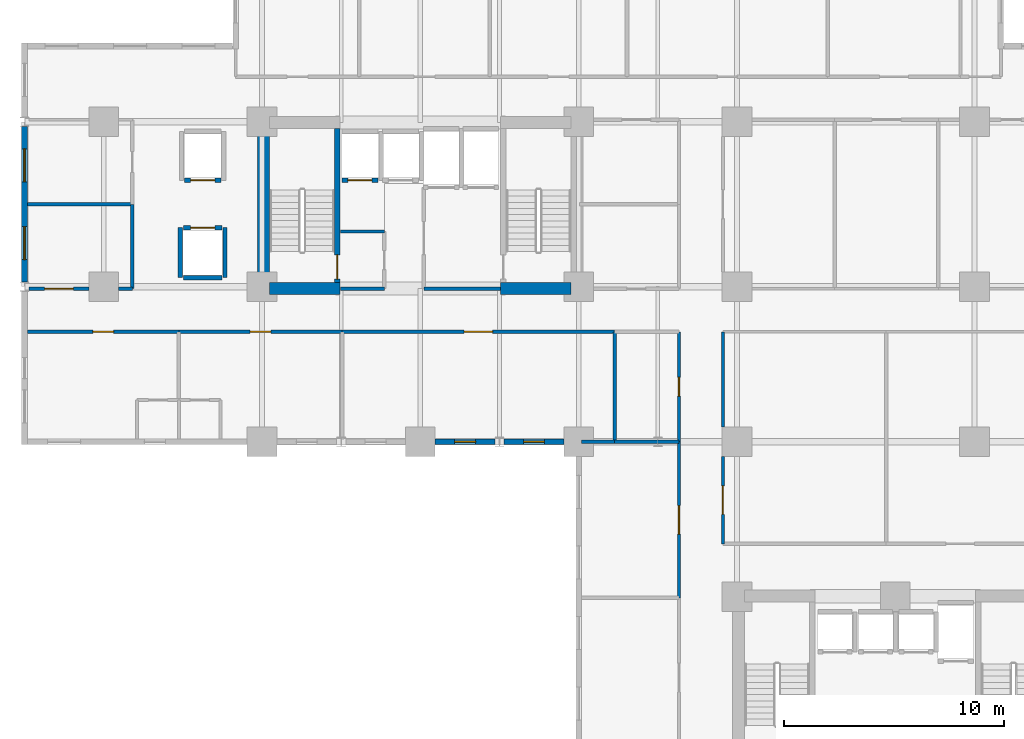
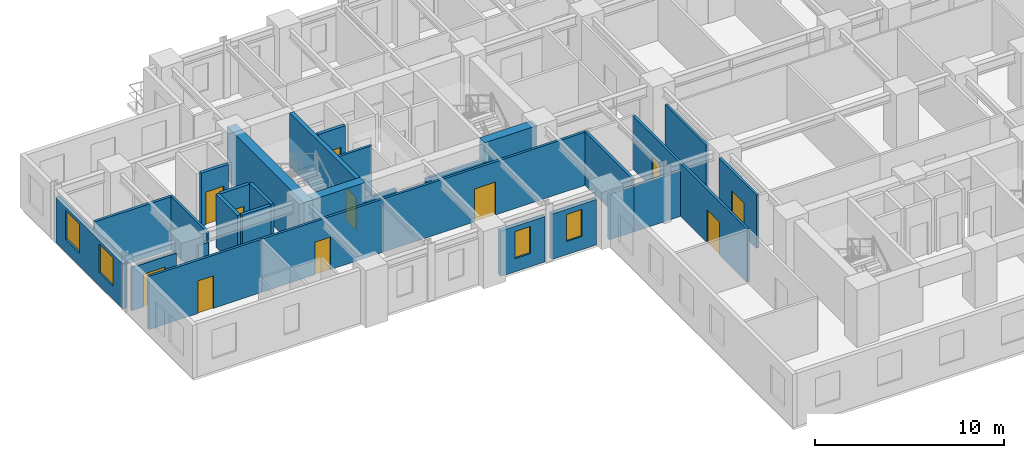
# One storey, part 3 of 11: 30 walls, 11 doors, 4 windows, 15 openings.
"""IFC4 building model written with IfcOpenShell, lengths in metres."""

from ifc_helpers import new_model, si_unit, direction, frame, frame_2d, origin, place, context, subcontext, project, spatial, rectangle, extrude, material, layer, layer_set, type_object, element, fill, save


model = new_model("IFC4")

# Units and contexts
model_context = context("Model", 3, precision=1e-05, world=origin(), true_north=direction((0.0, 1.0)))
body_context = subcontext(model_context, "Body", "Model", "MODEL_VIEW")
ifc_project = project(units=[si_unit("LENGTHUNIT", "METRE"), si_unit("AREAUNIT", "SQUARE_METRE"), si_unit("VOLUMEUNIT", "CUBIC_METRE"), si_unit("PLANEANGLEUNIT", "RADIAN"), si_unit("MASSUNIT", "GRAM", prefix="KILO")], contexts=[model_context])

# Site, building, storey
site_placement = place(None, origin())
site = spatial("IfcSite", under=ifc_project, at=site_placement, CompositionType="ELEMENT")
building_placement = place(site_placement, origin())
building = spatial("IfcBuilding", under=site, at=building_placement, Name="Kaliganga Portal Commons", CompositionType="ELEMENT")
storey_placement = place(building_placement, frame((0.0, 0.0, 54.89990234375)))
storey = spatial("IfcBuildingStorey", under=building, at=storey_placement, Name="L13", CompositionType="ELEMENT", Elevation=54.89990234375)

# Walls
ifc_material_1 = material(Name="Concrete C60/75", Category="concrete")
ifc_layer_1 = layer(ifc_material_1, 0.550048828125)
ifc_layer_set_1 = layer_set([ifc_layer_1], Name="Concrete C60/75")
wall_type_1 = type_object("IfcWallType", Name="WL-CORE-550", PredefinedType="SHEAR", material=ifc_layer_set_1)
wall_1_placement = place(storey_placement, frame((14.47509765625, 28.300048828125, 0.0), z_axis=(0.0, 0.0, 1.0), x_axis=(0.0, 1.0, 0.0)))
element("IfcWall", 1, at=wall_1_placement, inside=storey, type_object=wall_type_1, Name="Core A West Shear Wall L13", PredefinedType="SHEAR", context=body_context, shape_type="SweptSolid", body=[
    extrude(rectangle(XDim=8.099853515625, YDim=0.550048828125, at=frame_2d((4.0498046875, 0.0))), origin(), (0.0, 0.0, 1.0), 3.4501953125),
])
for number, where, z_axis, x_axis, name in (
    (2, (14.75, 28.574951171875, 0.0), (0.0, 0.0, 1.0), (1.0, 0.0, 0.0), "Core A S-West Shear Wall L13"),
    (3, (25.25, 28.574951171875, 0.0), (0.0, 0.0, 1.0), (1.0, 0.0, 0.0), "Core A S-East Shear Wall L13"),
):
    element("IfcWall", number, at=place(storey_placement, frame(where, z_axis=z_axis, x_axis=x_axis)), inside=storey, type_object=wall_type_1, Name=name, PredefinedType="SHEAR", context=body_context, shape_type="SweptSolid", body=[
        extrude(rectangle(XDim=3.199951171875, YDim=0.550048828125, at=frame_2d((1.60009765625, 0.0))), origin(), (0.0, 0.0, 1.0), 3.4501953125),
    ])

# Wall, openings, windows
ifc_material_2 = material(Name="Insulated Aluminium-Clad Spandrel Assembly", Category="aluminium")
ifc_layer_2 = layer(ifc_material_2, 0.260009765625)
ifc_layer_set_2 = layer_set([ifc_layer_2], Name="Insulated Aluminium-Clad Spandrel Assembly")
wall_type_2 = type_object("IfcWallType", Name="WL-EXT-SPAND-260", PredefinedType="STANDARD", material=ifc_layer_set_2)
wall_2_placement = place(storey_placement, frame((3.60009765625, 28.8740234375, 0.0), z_axis=(0.0, 0.0, 1.0), x_axis=(0.0, 1.0, 0.0)))
wall_2 = element("IfcWall", 4, at=wall_2_placement, inside=storey, type_object=wall_type_2, Name="Exterior Envelope Wall L13 P1-E09-S2", PredefinedType="STANDARD", context=body_context, shape_type="SweptSolid", body=[
    extrude(rectangle(XDim=7.052001953125, YDim=0.260009765625, at=frame_2d((3.52587890625, 0.0))), origin(), (0.0, 0.0, 1.0), 2.93017578125),
])
opening_1_placement = place(wall_2_placement, frame((1.012939453125, 0.0, 0.85009765625)))
opening_1 = element("IfcOpeningElement", 5, at=opening_1_placement, cuts=wall_2, Name="Opening W-02", PredefinedType="OPENING", context=body_context, shape_type="SweptSolid", body=[
    extrude(rectangle(XDim=1.5, YDim=1.85009765625, at=frame_2d((0.75, 0.925048828125))), frame((0.0, 0.14013671875, 0.0), z_axis=(0.0, -1.0, 0.0), x_axis=(1.0, 0.0, 0.0)), (0.0, 0.0, 1.0), 0.280029296875),
])
opening_2_placement = place(wall_2_placement, frame((4.5390625, 0.0, 0.85009765625)))
opening_2 = element("IfcOpeningElement", 6, at=opening_2_placement, cuts=wall_2, Name="Opening W-02", PredefinedType="OPENING", context=body_context, shape_type="SweptSolid", body=[
    extrude(rectangle(XDim=1.5, YDim=1.85009765625, at=frame_2d((0.75, 0.925048828125))), frame((0.0, 0.14013671875, 0.0), z_axis=(0.0, -1.0, 0.0), x_axis=(1.0, 0.0, 0.0)), (0.0, 0.0, 1.0), 0.280029296875),
])
ifc_material_3 = material(Name="Thermally Broken Aluminium and Low-E Double Glazing", Category="aluminium")
window_type_1 = type_object("IfcWindowType", Name="WIN-STD-1500", PartitioningType="DOUBLE_PANEL_VERTICAL", PredefinedType="WINDOW", material=ifc_material_3)
window_1_placement = place(opening_1_placement, origin())
window_1 = element("IfcWindow", 7, at=window_1_placement, inside=storey, type_object=window_type_1, Name="Facade Window L13-P1E09S2-00", OverallHeight=1.85009765625, OverallWidth=1.5, PartitioningType="SINGLE_PANEL", PredefinedType="WINDOW", context=body_context, shape_type="SweptSolid", body=[
    extrude(rectangle(XDim=1.5, YDim=1.85009765625, at=frame_2d((0.75, 0.925048828125))), frame((0.0, 0.030029296875, 0.0), z_axis=(0.0, -1.0, 0.0), x_axis=(1.0, 0.0, 0.0)), (0.0, 0.0, 1.0), 0.06005859375),
])
fill(opening_1, window_1)
window_2_placement = place(opening_2_placement, origin())
window_2 = element("IfcWindow", 8, at=window_2_placement, inside=storey, type_object=window_type_1, Name="Facade Window L13-P1E09S2-01", OverallHeight=1.85009765625, OverallWidth=1.5, PartitioningType="SINGLE_PANEL", PredefinedType="WINDOW", context=body_context, shape_type="SweptSolid", body=[
    extrude(rectangle(XDim=1.5, YDim=1.85009765625, at=frame_2d((0.75, 0.925048828125))), frame((0.0, 0.030029296875, 0.0), z_axis=(0.0, -1.0, 0.0), x_axis=(1.0, 0.0, 0.0)), (0.0, 0.0, 1.0), 0.06005859375),
])
fill(opening_2, window_2)

# Wall, opening, window
wall_3_placement = place(storey_placement, frame((24.990966796875, 21.60009765625, 0.0), z_axis=(0.0, 0.0, 1.0), x_axis=(-1.0, 0.0, 0.0)))
wall_3 = element("IfcWall", 9, at=wall_3_placement, inside=storey, type_object=wall_type_2, Name="Exterior Envelope Wall L13 P1-E10-S4", PredefinedType="STANDARD", context=body_context, shape_type="SweptSolid", body=[
    extrude(rectangle(XDim=2.715087890625, YDim=0.260009765625, at=frame_2d((1.357421875, 0.0))), origin(), (0.0, 0.0, 1.0), 2.93017578125),
])
opening_3_placement = place(wall_3_placement, frame((0.882568359375, 0.0, 0.85009765625)))
opening_3 = element("IfcOpeningElement", 10, at=opening_3_placement, cuts=wall_3, Name="Opening W-04", PredefinedType="OPENING", context=body_context, shape_type="SweptSolid", body=[
    extrude(rectangle(XDim=0.949951171875, YDim=1.75, at=frame_2d((0.47509765625, 0.875))), frame((0.0, 0.14013671875, 0.0), z_axis=(0.0, -1.0, 0.0), x_axis=(1.0, 0.0, 0.0)), (0.0, 0.0, 1.0), 0.280029296875),
])
window_type_2 = type_object("IfcWindowType", Name="WIN-NARROW-950", PartitioningType="SINGLE_PANEL", PredefinedType="WINDOW", material=ifc_material_3)
window_3_placement = place(opening_3_placement, origin())
window_3 = element("IfcWindow", 11, at=window_3_placement, inside=storey, type_object=window_type_2, Name="Facade Window L13-P1E10S4-00", OverallHeight=1.75, OverallWidth=0.949951171875, PartitioningType="SINGLE_PANEL", PredefinedType="WINDOW", context=body_context, shape_type="SweptSolid", body=[
    extrude(rectangle(XDim=0.949951171875, YDim=1.75, at=frame_2d((0.47509765625, 0.875))), frame((0.0, 0.030029296875, 0.0), z_axis=(0.0, -1.0, 0.0), x_axis=(1.0, 0.0, 0.0)), (0.0, 0.0, 1.0), 0.06005859375),
])
fill(opening_3, window_3)

wall_4_placement = place(storey_placement, frame((28.1240234375, 21.60009765625, 0.0), z_axis=(0.0, 0.0, 1.0), x_axis=(-1.0, 0.0, 0.0)))
wall_4 = element("IfcWall", 12, at=wall_4_placement, inside=storey, type_object=wall_type_2, Name="Exterior Envelope Wall L13 P1-E10-S5", PredefinedType="STANDARD", context=body_context, shape_type="SweptSolid", body=[
    extrude(rectangle(XDim=2.715087890625, YDim=0.260009765625, at=frame_2d((1.357421875, 0.0))), origin(), (0.0, 0.0, 1.0), 2.93017578125),
])
opening_4_placement = place(wall_4_placement, frame((0.882568359375, 0.0, 0.85009765625)))
opening_4 = element("IfcOpeningElement", 13, at=opening_4_placement, cuts=wall_4, Name="Opening W-04", PredefinedType="OPENING", context=body_context, shape_type="SweptSolid", body=[
    extrude(rectangle(XDim=0.949951171875, YDim=1.75, at=frame_2d((0.47509765625, 0.875))), frame((0.0, 0.14013671875, 0.0), z_axis=(0.0, -1.0, 0.0), x_axis=(1.0, 0.0, 0.0)), (0.0, 0.0, 1.0), 0.280029296875),
])
window_4_placement = place(opening_4_placement, origin())
window_4 = element("IfcWindow", 14, at=window_4_placement, inside=storey, type_object=window_type_2, Name="Facade Window L13-P1E10S5-00", OverallHeight=1.75, OverallWidth=0.949951171875, PartitioningType="SINGLE_PANEL", PredefinedType="WINDOW", context=body_context, shape_type="SweptSolid", body=[
    extrude(rectangle(XDim=0.949951171875, YDim=1.75, at=frame_2d((0.47509765625, 0.875))), frame((0.0, 0.030029296875, 0.0), z_axis=(0.0, -1.0, 0.0), x_axis=(1.0, 0.0, 0.0)), (0.0, 0.0, 1.0), 0.06005859375),
])
fill(opening_4, window_4)

# Wall, opening, door
ifc_material_4 = material(Name="Fire-Rated Gypsum Board on Steel Stud", Category="steel")
ifc_layer_3 = layer(ifc_material_4, 0.14990234375)
ifc_layer_set_3 = layer_set([ifc_layer_3], Name="Fire-Rated Gypsum Board on Steel Stud")
wall_type_3 = type_object("IfcWallType", Name="WL-PART-CORR-150", PredefinedType="PARTITIONING", material=ifc_layer_set_3)
wall_5_placement = place(storey_placement, frame((18.0400390625, 26.60009765625, 0.0), z_axis=(0.0, 0.0, 1.0), x_axis=(1.0, 0.0, 0.0)))
wall_5 = element("IfcWall", 15, at=wall_5_placement, inside=storey, type_object=wall_type_3, Name="Interior Partition L13-006", PredefinedType="PARTITIONING", context=body_context, shape_type="SweptSolid", body=[
    extrude(rectangle(XDim=12.39990234375, YDim=0.14990234375, at=frame_2d((6.199951171875, 0.0))), origin(), (0.0, 0.0, 1.0), 3.43017578125),
])
opening_5_placement = place(wall_5_placement, frame((5.550048828125, 0.0, 0.0)))
opening_5 = element("IfcOpeningElement", 16, at=opening_5_placement, cuts=wall_5, Name="Opening RD-03", PredefinedType="OPENING", context=body_context, shape_type="SweptSolid", body=[
    extrude(rectangle(XDim=1.300048828125, YDim=2.1201171875, at=frame_2d((0.64990234375, 1.06005859375))), frame((0.0, 0.0849609375, 0.0), z_axis=(0.0, -1.0, 0.0), x_axis=(1.0, 0.0, 0.0)), (0.0, 0.0, 1.0), 0.169921875),
])
ifc_material_5 = material(Name="Glazed Timber Seminar Vision Door", Category="wood")
door_type_1 = type_object("IfcDoorType", Name="DR-STUDY-1300", OperationType="DOUBLE_DOOR_SINGLE_SWING", PredefinedType="DOOR", material=ifc_material_5)
door_1_placement = place(opening_5_placement, origin())
door_1 = element("IfcDoor", 17, at=door_1_placement, inside=storey, type_object=door_type_1, Name="Interior Door L13-AS03", OperationType="DOUBLE_DOOR_SINGLE_SWING", OverallHeight=2.1201171875, OverallWidth=1.300048828125, PredefinedType="DOOR", context=body_context, shape_type="SweptSolid", body=[
    extrude(rectangle(XDim=1.300048828125, YDim=2.1201171875, at=frame_2d((0.64990234375, 1.06005859375))), frame((0.0, 0.02490234375, 0.0), z_axis=(0.0, -1.0, 0.0), x_axis=(1.0, 0.0, 0.0)), (0.0, 0.0, 1.0), 0.050048828125),
])
fill(opening_5, door_1)

wall_6_placement = place(storey_placement, frame((35.360107421875, 16.9599609375, 0.0), z_axis=(0.0, 0.0, 1.0), x_axis=(0.0, 1.0, 0.0)))
wall_6 = element("IfcWall", 18, at=wall_6_placement, inside=storey, type_object=wall_type_3, Name="Interior Partition L13-007", PredefinedType="PARTITIONING", context=body_context, shape_type="SweptSolid", body=[
    extrude(rectangle(XDim=3.965087890625, YDim=0.14990234375, at=frame_2d((1.982421875, 0.0))), origin(), (0.0, 0.0, 1.0), 3.43017578125),
])
opening_6_placement = place(wall_6_placement, frame((1.33251953125, 0.0, 0.0)))
opening_6 = element("IfcOpeningElement", 19, at=opening_6_placement, cuts=wall_6, Name="Opening RD-03", PredefinedType="OPENING", context=body_context, shape_type="SweptSolid", body=[
    extrude(rectangle(XDim=1.300048828125, YDim=2.1201171875, at=frame_2d((0.64990234375, 1.06005859375))), frame((0.0, 0.0849609375, 0.0), z_axis=(0.0, -1.0, 0.0), x_axis=(1.0, 0.0, 0.0)), (0.0, 0.0, 1.0), 0.169921875),
])
door_2_placement = place(opening_6_placement, origin())
door_2 = element("IfcDoor", 20, at=door_2_placement, inside=storey, type_object=door_type_1, Name="Interior Door L13-BM01", OperationType="DOUBLE_DOOR_SINGLE_SWING", OverallHeight=2.1201171875, OverallWidth=1.300048828125, PredefinedType="DOOR", context=body_context, shape_type="SweptSolid", body=[
    extrude(rectangle(XDim=1.300048828125, YDim=2.1201171875, at=frame_2d((0.64990234375, 1.06005859375))), frame((0.0, 0.02490234375, 0.0), z_axis=(0.0, -1.0, 0.0), x_axis=(1.0, 0.0, 0.0)), (0.0, 0.0, 1.0), 0.050048828125),
])
fill(opening_6, door_2)

# Wall
wall_7_placement = place(storey_placement, frame((35.360107421875, 22.27490234375, 0.0), z_axis=(0.0, 0.0, 1.0), x_axis=(0.0, 1.0, 0.0)))
element("IfcWall", 21, at=wall_7_placement, inside=storey, type_object=wall_type_3, Name="Interior Partition L13-008", PredefinedType="PARTITIONING", context=body_context, shape_type="SweptSolid", body=[
    extrude(rectangle(XDim=4.3251953125, YDim=0.14990234375, at=frame_2d((2.16259765625, 0.0))), origin(), (0.0, 0.0, 1.0), 3.43017578125),
])

# Wall, opening, door
wall_8_placement = place(storey_placement, frame((10.6201171875, 26.60009765625, 0.0), z_axis=(0.0, 0.0, 1.0), x_axis=(1.0, 0.0, 0.0)))
wall_8 = element("IfcWall", 22, at=wall_8_placement, inside=storey, type_object=wall_type_3, Name="Interior Partition L13-014", PredefinedType="PARTITIONING", context=body_context, shape_type="SweptSolid", body=[
    extrude(rectangle(XDim=7.419921875, YDim=0.14990234375, at=frame_2d((3.7099609375, 0.0))), origin(), (0.0, 0.0, 1.0), 3.43017578125),
])
opening_7_placement = place(wall_8_placement, frame((3.235107421875, 0.0, 0.0)))
opening_7 = element("IfcOpeningElement", 23, at=opening_7_placement, cuts=wall_8, Name="Opening UD-01", PredefinedType="OPENING", context=body_context, shape_type="SweptSolid", body=[
    extrude(rectangle(XDim=0.949951171875, YDim=2.10009765625, at=frame_2d((0.47509765625, 1.050048828125))), frame((0.0, 0.0849609375, 0.0), z_axis=(0.0, -1.0, 0.0), x_axis=(1.0, 0.0, 0.0)), (0.0, 0.0, 1.0), 0.169921875),
])
ifc_material_6 = material(Name="Solid-Core Timber Acoustic Fire Door", Category="wood")
door_type_2 = type_object("IfcDoorType", Name="DR-UNIT-950", OperationType="NOTDEFINED", PredefinedType="DOOR", material=ifc_material_6)
door_3_placement = place(opening_7_placement, origin())
door_3 = element("IfcDoor", 24, at=door_3_placement, inside=storey, type_object=door_type_2, Name="Interior Door L13-AS02", OperationType="SINGLE_SWING_LEFT", OverallHeight=2.10009765625, OverallWidth=0.949951171875, PredefinedType="DOOR", context=body_context, shape_type="SweptSolid", body=[
    extrude(rectangle(XDim=0.949951171875, YDim=2.10009765625, at=frame_2d((0.47509765625, 1.050048828125))), frame((0.0, 0.02490234375, 0.0), z_axis=(0.0, -1.0, 0.0), x_axis=(1.0, 0.0, 0.0)), (0.0, 0.0, 1.0), 0.050048828125),
])
fill(opening_7, door_3)

wall_9_placement = place(storey_placement, frame((33.360107421875, 14.5, 0.0), z_axis=(0.0, 0.0, 1.0), x_axis=(0.0, 1.0, 0.0)))
wall_9 = element("IfcWall", 25, at=wall_9_placement, inside=storey, type_object=wall_type_3, Name="Interior Partition L13-016", PredefinedType="PARTITIONING", context=body_context, shape_type="SweptSolid", body=[
    extrude(rectangle(XDim=7.10009765625, YDim=0.14990234375, at=frame_2d((3.550048828125, 0.0))), origin(), (0.0, 0.0, 1.0), 3.43017578125),
])
opening_8_placement = place(wall_9_placement, frame((2.89990234375, 0.0, 0.0)))
opening_8 = element("IfcOpeningElement", 26, at=opening_8_placement, cuts=wall_9, Name="Opening RD-03", PredefinedType="OPENING", context=body_context, shape_type="SweptSolid", body=[
    extrude(rectangle(XDim=1.300048828125, YDim=2.1201171875, at=frame_2d((0.64990234375, 1.06005859375))), frame((0.0, 0.0849609375, 0.0), z_axis=(0.0, -1.0, 0.0), x_axis=(1.0, 0.0, 0.0)), (0.0, 0.0, 1.0), 0.169921875),
])
door_4_placement = place(opening_8_placement, origin())
door_4 = element("IfcDoor", 27, at=door_4_placement, inside=storey, type_object=door_type_1, Name="Interior Door L13-KW02", OperationType="DOUBLE_DOOR_SINGLE_SWING", OverallHeight=2.1201171875, OverallWidth=1.300048828125, PredefinedType="DOOR", context=body_context, shape_type="SweptSolid", body=[
    extrude(rectangle(XDim=1.300048828125, YDim=2.1201171875, at=frame_2d((0.64990234375, 1.06005859375))), frame((0.0, 0.02490234375, 0.0), z_axis=(0.0, -1.0, 0.0), x_axis=(1.0, 0.0, 0.0)), (0.0, 0.0, 1.0), 0.050048828125),
])
fill(opening_8, door_4)

wall_10_placement = place(storey_placement, frame((3.73193359375, 26.60009765625, 0.0), z_axis=(0.0, 0.0, 1.0), x_axis=(1.0, 0.0, 0.0)))
wall_10 = element("IfcWall", 28, at=wall_10_placement, inside=storey, type_object=wall_type_3, Name="Interior Partition L13-021", PredefinedType="PARTITIONING", context=body_context, shape_type="SweptSolid", body=[
    extrude(rectangle(XDim=6.88818359375, YDim=0.14990234375, at=frame_2d((3.444091796875, 0.0))), origin(), (0.0, 0.0, 1.0), 3.43017578125),
])
opening_9_placement = place(wall_10_placement, frame((2.968994140625, 0.0, 0.0)))
opening_9 = element("IfcOpeningElement", 29, at=opening_9_placement, cuts=wall_10, Name="Opening UD-01", PredefinedType="OPENING", context=body_context, shape_type="SweptSolid", body=[
    extrude(rectangle(XDim=0.949951171875, YDim=2.10009765625, at=frame_2d((0.47509765625, 1.050048828125))), frame((0.0, 0.0849609375, 0.0), z_axis=(0.0, -1.0, 0.0), x_axis=(1.0, 0.0, 0.0)), (0.0, 0.0, 1.0), 0.169921875),
])
door_5_placement = place(opening_9_placement, origin())
door_5 = element("IfcDoor", 30, at=door_5_placement, inside=storey, type_object=door_type_2, Name="Interior Door L13-AS01", OperationType="SINGLE_SWING_LEFT", OverallHeight=2.10009765625, OverallWidth=0.949951171875, PredefinedType="DOOR", context=body_context, shape_type="SweptSolid", body=[
    extrude(rectangle(XDim=0.949951171875, YDim=2.10009765625, at=frame_2d((0.47509765625, 1.050048828125))), frame((0.0, 0.02490234375, 0.0), z_axis=(0.0, -1.0, 0.0), x_axis=(1.0, 0.0, 0.0)), (0.0, 0.0, 1.0), 0.050048828125),
])
fill(opening_9, door_5)

wall_11_placement = place(storey_placement, frame((33.360107421875, 21.60009765625, 0.0), z_axis=(0.0, 0.0, 1.0), x_axis=(0.0, 1.0, 0.0)))
wall_11 = element("IfcWall", 31, at=wall_11_placement, inside=storey, type_object=wall_type_3, Name="Interior Partition L13-029", PredefinedType="PARTITIONING", context=body_context, shape_type="SweptSolid", body=[
    extrude(rectangle(XDim=5.0, YDim=0.14990234375, at=frame_2d((2.5, 0.0))), origin(), (0.0, 0.0, 1.0), 3.43017578125),
])
opening_10_placement = place(wall_11_placement, frame((2.070068359375, 0.0, 0.0)))
opening_10 = element("IfcOpeningElement", 32, at=opening_10_placement, cuts=wall_11, Name="Opening WD-02", PredefinedType="OPENING", context=body_context, shape_type="SweptSolid", body=[
    extrude(rectangle(XDim=0.860107421875, YDim=2.02001953125, at=frame_2d((0.43017578125, 1.010009765625))), frame((0.0, 0.0849609375, 0.0), z_axis=(0.0, -1.0, 0.0), x_axis=(1.0, 0.0, 0.0)), (0.0, 0.0, 1.0), 0.169921875),
])
ifc_material_7 = material(Name="Fire-Rated Utility Closet Door", Category="wood")
door_type_3 = type_object("IfcDoorType", Name="DR-STORE-800", OperationType="NOTDEFINED", PredefinedType="DOOR", material=ifc_material_7)
door_6_placement = place(opening_10_placement, origin())
door_6 = element("IfcDoor", 33, at=door_6_placement, inside=storey, type_object=door_type_3, Name="Interior Door L13-AS04", OperationType="SINGLE_SWING_RIGHT", OverallHeight=2.02001953125, OverallWidth=0.860107421875, PredefinedType="DOOR", context=body_context, shape_type="SweptSolid", body=[
    extrude(rectangle(XDim=0.860107421875, YDim=2.02001953125, at=frame_2d((0.43017578125, 1.010009765625))), frame((0.0, 0.02490234375, 0.0), z_axis=(0.0, -1.0, 0.0), x_axis=(1.0, 0.0, 0.0)), (0.0, 0.0, 1.0), 0.050048828125),
])
fill(opening_10, door_6)

wall_12_placement = place(storey_placement, frame((3.80810546875, 28.56005859375, 0.0), z_axis=(0.0, 0.0, 1.0), x_axis=(1.0, 0.0, 0.0)))
wall_12 = element("IfcWall", 34, at=wall_12_placement, inside=storey, type_object=wall_type_3, Name="Interior Partition L13-030", PredefinedType="PARTITIONING", context=body_context, shape_type="SweptSolid", body=[
    extrude(rectangle(XDim=2.716796875, YDim=0.14990234375, at=frame_2d((1.3583984375, 0.0))), origin(), (0.0, 0.0, 1.0), 2.780029296875),
])
opening_11_placement = place(wall_12_placement, frame((0.70849609375, 0.0, 0.0)))
opening_11 = element("IfcOpeningElement", 35, at=opening_11_placement, cuts=wall_12, Name="Opening RD-03", PredefinedType="OPENING", context=body_context, shape_type="SweptSolid", body=[
    extrude(rectangle(XDim=1.300048828125, YDim=2.1201171875, at=frame_2d((0.64990234375, 1.06005859375))), frame((0.0, 0.0849609375, 0.0), z_axis=(0.0, -1.0, 0.0), x_axis=(1.0, 0.0, 0.0)), (0.0, 0.0, 1.0), 0.169921875),
])
door_7_placement = place(opening_11_placement, origin())
door_7 = element("IfcDoor", 36, at=door_7_placement, inside=storey, type_object=door_type_1, Name="Interior Door L13-AW01", OperationType="DOUBLE_DOOR_SINGLE_SWING", OverallHeight=2.1201171875, OverallWidth=1.300048828125, PredefinedType="DOOR", context=body_context, shape_type="SweptSolid", body=[
    extrude(rectangle(XDim=1.300048828125, YDim=2.1201171875, at=frame_2d((0.64990234375, 1.06005859375))), frame((0.0, 0.02490234375, 0.0), z_axis=(0.0, -1.0, 0.0), x_axis=(1.0, 0.0, 0.0)), (0.0, 0.0, 1.0), 0.050048828125),
])
fill(opening_11, door_7)

# Walls
wall_13_placement = place(storey_placement, frame((7.875, 28.56005859375, 0.0), z_axis=(0.0, 0.0, 1.0), x_axis=(1.0, 0.0, 0.0)))
element("IfcWall", 37, at=wall_13_placement, inside=storey, type_object=wall_type_3, Name="Interior Partition L13-031", PredefinedType="PARTITIONING", context=body_context, shape_type="SweptSolid", body=[
    extrude(rectangle(XDim=0.625, YDim=0.14990234375, at=frame_2d((0.3125, 0.0))), origin(), (0.0, 0.0, 1.0), 2.780029296875),
])
wall_14_placement = place(storey_placement, frame((8.5, 28.56005859375, 0.0), z_axis=(0.0, 0.0, 1.0), x_axis=(0.0, 1.0, 0.0)))
element("IfcWall", 38, at=wall_14_placement, inside=storey, type_object=wall_type_3, Name="Interior Partition L13-040", PredefinedType="PARTITIONING", context=body_context, shape_type="SweptSolid", body=[
    extrude(rectangle(XDim=3.83984375, YDim=0.14990234375, at=frame_2d((1.919921875, 0.0))), origin(), (0.0, 0.0, 1.0), 3.43017578125),
])
wall_15_placement = place(storey_placement, frame((17.9599609375, 28.56005859375, 0.0), z_axis=(0.0, 0.0, 1.0), x_axis=(1.0, 0.0, 0.0)))
element("IfcWall", 39, at=wall_15_placement, inside=storey, type_object=wall_type_3, Name="Interior Partition L13-045", PredefinedType="PARTITIONING", context=body_context, shape_type="SweptSolid", body=[
    extrude(rectangle(XDim=2.0, YDim=0.14990234375, at=frame_2d((1.0, 0.0))), origin(), (0.0, 0.0, 1.0), 2.22998046875),
])
wall_16_placement = place(storey_placement, frame((17.9599609375, 31.159912109375, 0.0), z_axis=(0.0, 0.0, 1.0), x_axis=(1.0, 0.0, 0.0)))
element("IfcWall", 40, at=wall_16_placement, inside=storey, type_object=wall_type_3, Name="Interior Partition L13-046", PredefinedType="PARTITIONING", context=body_context, shape_type="SweptSolid", body=[
    extrude(rectangle(XDim=2.0, YDim=0.14990234375, at=frame_2d((1.0, 0.0))), origin(), (0.0, 0.0, 1.0), 3.43017578125),
])
wall_17_placement = place(storey_placement, frame((21.760009765625, 28.56005859375, 0.0), z_axis=(0.0, 0.0, 1.0), x_axis=(1.0, 0.0, 0.0)))
element("IfcWall", 41, at=wall_17_placement, inside=storey, type_object=wall_type_3, Name="Interior Partition L13-078", PredefinedType="PARTITIONING", context=body_context, shape_type="SweptSolid", body=[
    extrude(rectangle(XDim=3.47998046875, YDim=0.14990234375, at=frame_2d((1.739990234375, 0.0))), origin(), (0.0, 0.0, 1.0), 2.22998046875),
])
ifc_material_8 = material(Name="Twin-Stud Acoustic Gypsum Partition", Category="gypsum")
ifc_layer_4 = layer(ifc_material_8, 0.1650390625)
ifc_layer_set_4 = layer_set([ifc_layer_4], Name="Twin-Stud Acoustic Gypsum Partition")
wall_type_4 = type_object("IfcWallType", Name="WL-PART-UNIT-165", PredefinedType="PARTITIONING", material=ifc_layer_set_4)
wall_18_placement = place(storey_placement, frame((30.43994140625, 21.60009765625, 0.0), z_axis=(0.0, 0.0, 1.0), x_axis=(0.0, 1.0, 0.0)))
element("IfcWall", 42, at=wall_18_placement, inside=storey, type_object=wall_type_4, Name="Interior Partition L13-064", PredefinedType="PARTITIONING", context=body_context, shape_type="SweptSolid", body=[
    extrude(rectangle(XDim=5.0, YDim=0.1650390625, at=frame_2d((2.5, 0.0))), origin(), (0.0, 0.0, 1.0), 3.43017578125),
])
wall_19_placement = place(storey_placement, frame((3.73193359375, 32.39990234375, 0.0), z_axis=(0.0, 0.0, 1.0), x_axis=(1.0, 0.0, 0.0)))
element("IfcWall", 43, at=wall_19_placement, inside=storey, type_object=wall_type_4, Name="Interior Partition L13-069", PredefinedType="PARTITIONING", context=body_context, shape_type="SweptSolid", body=[
    extrude(rectangle(XDim=4.76806640625, YDim=0.1650390625, at=frame_2d((2.384033203125, 0.0))), origin(), (0.0, 0.0, 1.0), 3.43017578125),
])
wall_20_placement = place(storey_placement, frame((30.43994140625, 21.60009765625, 0.0), z_axis=(0.0, 0.0, 1.0), x_axis=(1.0, 0.0, 0.0)))
element("IfcWall", 44, at=wall_20_placement, inside=storey, type_object=wall_type_4, Name="Interior Partition L13-080", PredefinedType="PARTITIONING", context=body_context, shape_type="SweptSolid", body=[
    extrude(rectangle(XDim=2.920166015625, YDim=0.1650390625, at=frame_2d((1.4599609375, 0.0))), origin(), (0.0, 0.0, 1.0), 2.93017578125),
])
wall_21_placement = place(storey_placement, frame((28.931884765625, 21.60009765625, 0.0), z_axis=(0.0, 0.0, 1.0), x_axis=(1.0, 0.0, 0.0)))
element("IfcWall", 45, at=wall_21_placement, inside=storey, type_object=wall_type_4, Name="Interior Partition L13-082", PredefinedType="PARTITIONING", context=body_context, shape_type="SweptSolid", body=[
    extrude(rectangle(XDim=1.508056640625, YDim=0.1650390625, at=frame_2d((0.75390625, 0.0))), origin(), (0.0, 0.0, 1.0), 2.93017578125),
])

# Wall, opening, door
ifc_material_9 = material(Name="Fire-Rated Shaftwall Masonry Assembly", Category="masonry")
ifc_layer_5 = layer(ifc_material_9, 0.199951171875)
ifc_layer_set_5 = layer_set([ifc_layer_5], Name="Fire-Rated Shaftwall Masonry Assembly")
wall_type_5 = type_object("IfcWallType", Name="WL-SHAFT-200", PredefinedType="PARTITIONING", material=ifc_layer_set_5)
wall_22_placement = place(storey_placement, frame((18.02490234375, 33.485107421875, 0.0), z_axis=(0.0, 0.0, 1.0), x_axis=(1.0, 0.0, 0.0)))
wall_22 = element("IfcWall", 46, at=wall_22_placement, inside=storey, type_object=wall_type_5, Name="Lift PL-A1 Hoistway Shaft Wall L13-S", PredefinedType="PARTITIONING", context=body_context, shape_type="SweptSolid", body=[
    extrude(rectangle(XDim=1.650146484375, YDim=0.199951171875, at=frame_2d((0.8251953125, 0.0))), origin(), (0.0, 0.0, 1.0), 3.43017578125),
])
opening_12_placement = place(wall_22_placement, frame((0.27490234375, 0.0, 0.0)))
opening_12 = element("IfcOpeningElement", 47, at=opening_12_placement, cuts=wall_22, Name="Opening LD-01", PredefinedType="OPENING", context=body_context, shape_type="SweptSolid", body=[
    extrude(rectangle(XDim=1.10009765625, YDim=2.1201171875, at=frame_2d((0.550048828125, 1.06005859375))), frame((0.0, 0.10986328125, 0.0), z_axis=(0.0, -1.0, 0.0), x_axis=(1.0, 0.0, 0.0)), (0.0, 0.0, 1.0), 0.219970703125),
])
ifc_material_10 = material(Name="Brushed Stainless Steel 316 Lift Landing Door", Category="steel")
door_type_4 = type_object("IfcDoorType", Name="DR-LIFT-1100", OperationType="SLIDING_TO_LEFT", PredefinedType="DOOR", material=ifc_material_10)
door_8_placement = place(opening_12_placement, origin())
door_8 = element("IfcDoor", 48, at=door_8_placement, inside=storey, type_object=door_type_4, Name="Lift PL-A1 Sliding Landing Door L13", OperationType="SLIDING_TO_LEFT", OverallHeight=2.1201171875, OverallWidth=1.10009765625, PredefinedType="DOOR", context=body_context, shape_type="SweptSolid", body=[
    extrude(rectangle(XDim=1.10009765625, YDim=2.1201171875, at=frame_2d((0.550048828125, 1.06005859375))), frame((0.0, 0.02490234375, 0.0), z_axis=(0.0, -1.0, 0.0), x_axis=(1.0, 0.0, 0.0)), (0.0, 0.0, 1.0), 0.050048828125),
])
fill(opening_12, door_8)

# Wall
wall_23_placement = place(storey_placement, frame((10.824951171875, 29.06005859375, 0.0), z_axis=(0.0, 0.0, 1.0), x_axis=(1.0, 0.0, 0.0)))
element("IfcWall", 49, at=wall_23_placement, inside=storey, type_object=wall_type_5, Name="Lift SH-1 Hoistway Shaft Wall L13-S", PredefinedType="PARTITIONING", context=body_context, shape_type="SweptSolid", body=[
    extrude(rectangle(XDim=1.75, YDim=0.199951171875, at=frame_2d((0.875, 0.0))), origin(), (0.0, 0.0, 1.0), 3.43017578125),
])

# Wall, opening, door
wall_24_placement = place(storey_placement, frame((10.824951171875, 31.340087890625, 0.0), z_axis=(0.0, 0.0, 1.0), x_axis=(1.0, 0.0, 0.0)))
wall_24 = element("IfcWall", 50, at=wall_24_placement, inside=storey, type_object=wall_type_5, Name="Lift SH-1 Hoistway Shaft Wall L13-N", PredefinedType="PARTITIONING", context=body_context, shape_type="SweptSolid", body=[
    extrude(rectangle(XDim=1.75, YDim=0.199951171875, at=frame_2d((0.875, 0.0))), origin(), (0.0, 0.0, 1.0), 3.43017578125),
])
opening_13_placement = place(wall_24_placement, frame((0.324951171875, 0.0, 0.0)))
opening_13 = element("IfcOpeningElement", 51, at=opening_13_placement, cuts=wall_24, Name="Opening LD-01", PredefinedType="OPENING", context=body_context, shape_type="SweptSolid", body=[
    extrude(rectangle(XDim=1.10009765625, YDim=2.1201171875, at=frame_2d((0.550048828125, 1.06005859375))), frame((0.0, 0.10986328125, 0.0), z_axis=(0.0, -1.0, 0.0), x_axis=(1.0, 0.0, 0.0)), (0.0, 0.0, 1.0), 0.219970703125),
])
door_9_placement = place(opening_13_placement, origin())
door_9 = element("IfcDoor", 52, at=door_9_placement, inside=storey, type_object=door_type_4, Name="Lift SH-1 Sliding Landing Door L13", OperationType="SLIDING_TO_LEFT", OverallHeight=2.1201171875, OverallWidth=1.10009765625, PredefinedType="DOOR", context=body_context, shape_type="SweptSolid", body=[
    extrude(rectangle(XDim=1.10009765625, YDim=2.1201171875, at=frame_2d((0.550048828125, 1.06005859375))), frame((0.0, 0.02490234375, 0.0), z_axis=(0.0, -1.0, 0.0), x_axis=(1.0, 0.0, 0.0)), (0.0, 0.0, 1.0), 0.050048828125),
])
fill(opening_13, door_9)

# Walls
for number, where, z_axis, x_axis, name in (
    (53, (10.68505859375, 29.06005859375, 0.0), (0.0, 0.0, 1.0), (0.0, 1.0, 0.0), "Lift SH-1 Hoistway Shaft Wall L13-W"),
    (54, (12.715087890625, 29.06005859375, 0.0), (0.0, 0.0, 1.0), (0.0, 1.0, 0.0), "Lift SH-1 Hoistway Shaft Wall L13-E"),
):
    element("IfcWall", number, at=place(storey_placement, frame(where, z_axis=z_axis, x_axis=x_axis)), inside=storey, type_object=wall_type_5, Name=name, PredefinedType="PARTITIONING", context=body_context, shape_type="SweptSolid", body=[
        extrude(rectangle(XDim=2.280029296875, YDim=0.199951171875, at=frame_2d((1.14013671875, 0.0))), origin(), (0.0, 0.0, 1.0), 3.43017578125),
    ])

# Wall, opening, door
wall_25_placement = place(storey_placement, frame((10.875, 33.485107421875, 0.0), z_axis=(0.0, 0.0, 1.0), x_axis=(1.0, 0.0, 0.0)))
wall_25 = element("IfcWall", 55, at=wall_25_placement, inside=storey, type_object=wall_type_5, Name="Lift PL-OBS Hoistway Shaft Wall L13-S", PredefinedType="PARTITIONING", context=body_context, shape_type="SweptSolid", body=[
    extrude(rectangle(XDim=1.64990234375, YDim=0.199951171875, at=frame_2d((0.824951171875, 0.0))), origin(), (0.0, 0.0, 1.0), 3.43017578125),
])
opening_14_placement = place(wall_25_placement, frame((0.27490234375, 0.0, 0.0)))
opening_14 = element("IfcOpeningElement", 56, at=opening_14_placement, cuts=wall_25, Name="Opening LD-01", PredefinedType="OPENING", context=body_context, shape_type="SweptSolid", body=[
    extrude(rectangle(XDim=1.10009765625, YDim=2.1201171875, at=frame_2d((0.550048828125, 1.06005859375))), frame((0.0, 0.10986328125, 0.0), z_axis=(0.0, -1.0, 0.0), x_axis=(1.0, 0.0, 0.0)), (0.0, 0.0, 1.0), 0.219970703125),
])
door_10_placement = place(opening_14_placement, origin())
door_10 = element("IfcDoor", 57, at=door_10_placement, inside=storey, type_object=door_type_4, Name="Lift PL-OBS Sliding Landing Door L13", OperationType="SLIDING_TO_LEFT", OverallHeight=2.1201171875, OverallWidth=1.10009765625, PredefinedType="DOOR", context=body_context, shape_type="SweptSolid", body=[
    extrude(rectangle(XDim=1.10009765625, YDim=2.1201171875, at=frame_2d((0.550048828125, 1.06005859375))), frame((0.0, 0.02490234375, 0.0), z_axis=(0.0, -1.0, 0.0), x_axis=(1.0, 0.0, 0.0)), (0.0, 0.0, 1.0), 0.050048828125),
])
fill(opening_14, door_10)

ifc_material_11 = material(Name="Concrete C50/60", Category="concrete")
ifc_layer_6 = layer(ifc_material_11, 0.25)
ifc_layer_set_6 = layer_set([ifc_layer_6], Name="Concrete C50/60")
wall_type_6 = type_object("IfcWallType", Name="WL-STAIR-250", PredefinedType="SHEAR", material=ifc_layer_set_6)
wall_26_placement = place(storey_placement, frame((17.824951171875, 28.85009765625, 0.0), z_axis=(0.0, 0.0, 1.0), x_axis=(0.0, 1.0, 0.0)))
wall_26 = element("IfcWall", 58, at=wall_26_placement, inside=storey, type_object=wall_type_6, Name="Stair A1 Enclosure Shear Wall L13", PredefinedType="SHEAR", context=body_context, shape_type="SweptSolid", body=[
    extrude(rectangle(XDim=7.0, YDim=0.25, at=frame_2d((3.5, 0.0))), origin(), (0.0, 0.0, 1.0), 3.4501953125),
])
opening_15_placement = place(wall_26_placement, frame((0.14990234375, 0.0, 0.0)))
opening_15 = element("IfcOpeningElement", 59, at=opening_15_placement, cuts=wall_26, Name="Opening SD-01", PredefinedType="OPENING", context=body_context, shape_type="SweptSolid", body=[
    extrude(rectangle(XDim=1.10009765625, YDim=2.080078125, at=frame_2d((0.550048828125, 1.0400390625))), frame((0.0, 0.135009765625, 0.0), z_axis=(0.0, -1.0, 0.0), x_axis=(1.0, 0.0, 0.0)), (0.0, 0.0, 1.0), 0.27001953125),
])
ifc_material_12 = material(Name="Galvanized Steel Fire Door Leaf and Frame", Category="steel")
door_type_5 = type_object("IfcDoorType", Name="DR-STAIR-1100", OperationType="NOTDEFINED", PredefinedType="DOOR", material=ifc_material_12)
door_11_placement = place(opening_15_placement, origin())
door_11 = element("IfcDoor", 60, at=door_11_placement, inside=storey, type_object=door_type_5, Name="Protected Stair ST-A1 Fire Door L13", OperationType="SINGLE_SWING_LEFT", OverallHeight=2.080078125, OverallWidth=1.10009765625, PredefinedType="DOOR", context=body_context, shape_type="SweptSolid", body=[
    extrude(rectangle(XDim=1.10009765625, YDim=2.080078125, at=frame_2d((0.550048828125, 1.0400390625))), frame((0.0, 0.02490234375, 0.0), z_axis=(0.0, -1.0, 0.0), x_axis=(1.0, 0.0, 0.0)), (0.0, 0.0, 1.0), 0.050048828125),
])
fill(opening_15, door_11)

save(model, "model.ifc")
